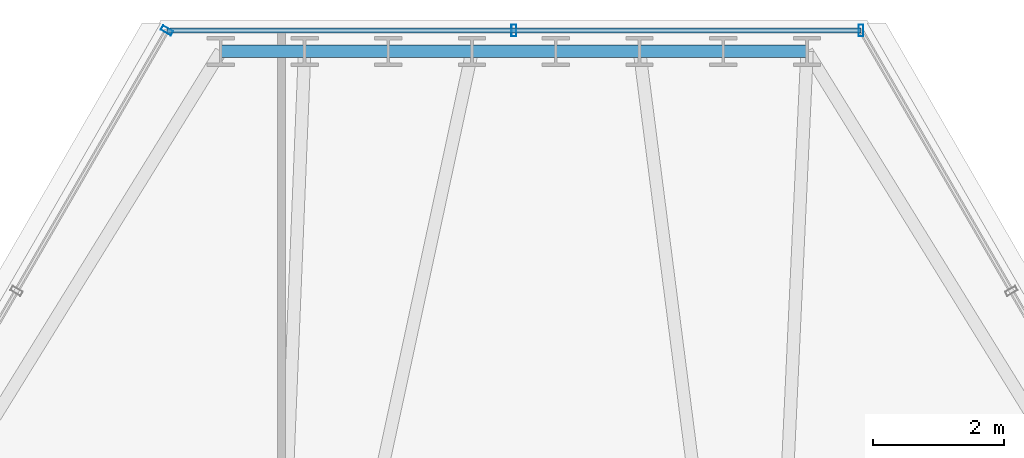
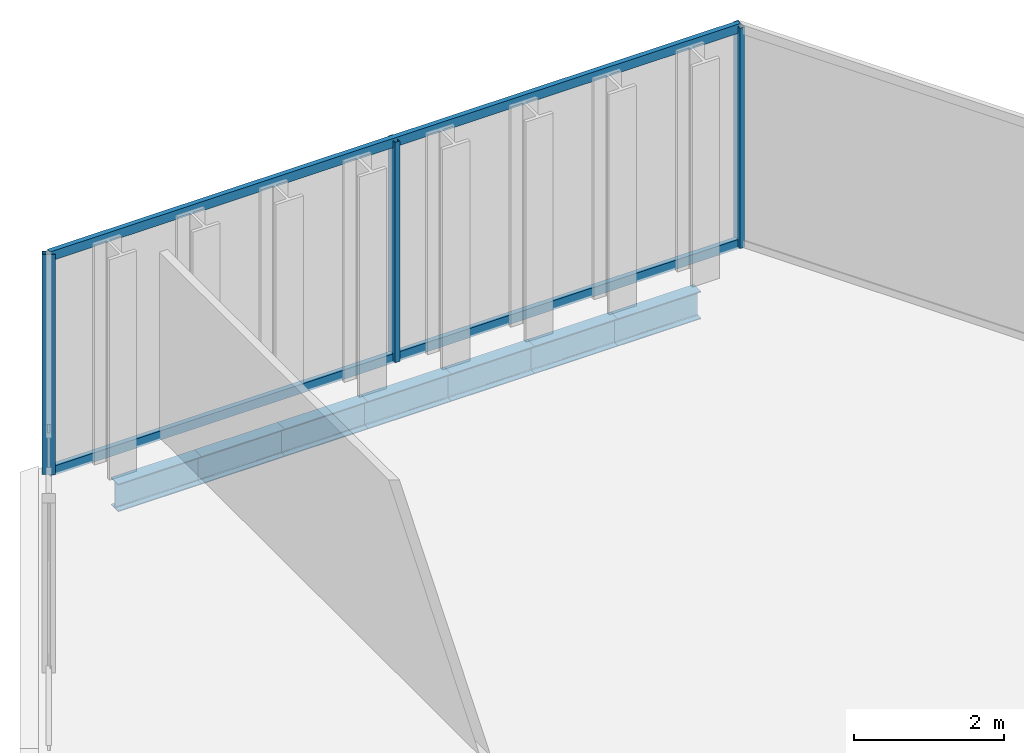
# One storey, part 24 of 33: 7 beams, 5 members, 2 elements without a shape of their own.
"""IFC4 building model written with IfcOpenShell, lengths in metres."""

from ifc_helpers import new_model, si_unit, direction, frame, origin, origin_2d, place, context, subcontext, project, spatial, hollow_rectangle, i_section, extrude, material, layer, layer_set, material_profile, profile_set, type_object, element, aggregate, save


model = new_model("IFC4")

# Units and contexts
model_context = context("Model", 3, precision=1e-05, world=origin(), true_north=direction((0.0, 1.0)))
body_context = subcontext(model_context, "Body", "Model", "MODEL_VIEW")
ifc_project = project(units=[si_unit("LENGTHUNIT", "METRE"), si_unit("AREAUNIT", "SQUARE_METRE"), si_unit("VOLUMEUNIT", "CUBIC_METRE"), si_unit("PLANEANGLEUNIT", "RADIAN"), si_unit("MASSUNIT", "GRAM", prefix="KILO")], contexts=[model_context])

# Site, building, storey
site_placement = place(None, origin())
site = spatial("IfcSite", under=ifc_project, at=site_placement, CompositionType="ELEMENT")
building_placement = place(site_placement, origin())
building = spatial("IfcBuilding", under=site, at=building_placement, Name="Ndaravel Arena Tower", CompositionType="ELEMENT")
storey_placement = place(building_placement, frame((0.0, 0.0, 161.199951171875)))
storey = spatial("IfcBuildingStorey", under=building, at=storey_placement, Name="L38", CompositionType="ELEMENT", Elevation=161.199951171875)

# Beams
ifc_material_1 = material(Name="Steel S355", Category="steel")
ifc_material_profile_1 = material_profile(ifc_material_1, i_section(OverallWidth=0.18994140625, OverallDepth=0.449951171875, WebThickness=0.009521484375, FlangeThickness=0.0146484375, FilletRadius=0.02099609375, at=origin_2d()), Name="IPE 450")
ifc_profile_set_1 = profile_set([ifc_material_profile_1], Name="Steel S355")
beam_type = type_object("IfcBeamType", Name="BM-SPAN-IPE450", PredefinedType="SPANDREL", material=ifc_profile_set_1)
for number, where, z_axis, x_axis, name in (
    (1, (46.480224609375, 45.881591796875, -0.445068359375), (-1.0, 0.0, 0.0), (0.0, -1.0, 0.0), "L38 Perimeter Spandrel Beam SP-11"),
    (2, (45.2001953125, 45.881591796875, -0.445068359375), (-1.0, 0.0, 0.0), (0.0, -1.0, 0.0), "L38 Perimeter Spandrel Beam SP-12"),
):
    element("IfcBeam", number, at=place(storey_placement, frame(where, z_axis=z_axis, x_axis=x_axis)), inside=storey, type_object=beam_type, Name=name, PredefinedType="SPANDREL", context=body_context, shape_type="SweptSolid", body=[
        extrude(i_section(OverallWidth=0.18994140625, OverallDepth=0.449951171875, WebThickness=0.009521484375, FlangeThickness=0.0146484375, FilletRadius=0.02099609375, at=origin_2d()), origin(), (0.0, 0.0, 1.0), 1.280029296875),
    ])
beam_1_placement = place(storey_placement, frame((43.920166015625, 45.881591796875, -0.445068359375), z_axis=(-1.0, 0.0, 0.0), x_axis=(0.0, -1.0, 0.0)))
element("IfcBeam", 3, at=beam_1_placement, inside=storey, type_object=beam_type, Name="L38 Perimeter Spandrel Beam SP-13", PredefinedType="SPANDREL", context=body_context, shape_type="SweptSolid", body=[
    extrude(i_section(OverallWidth=0.18994140625, OverallDepth=0.449951171875, WebThickness=0.009521484375, FlangeThickness=0.0146484375, FilletRadius=0.02099609375, at=origin_2d()), origin(), (0.0, 0.0, 1.0), 1.2802734375),
])
beam_2_placement = place(storey_placement, frame((42.639892578125, 45.881591796875, -0.445068359375), z_axis=(-1.0, 0.0, 0.0), x_axis=(0.0, -1.0, 0.0)))
element("IfcBeam", 4, at=beam_2_placement, inside=storey, type_object=beam_type, Name="L38 Perimeter Spandrel Beam SP-14", PredefinedType="SPANDREL", context=body_context, shape_type="SweptSolid", body=[
    extrude(i_section(OverallWidth=0.18994140625, OverallDepth=0.449951171875, WebThickness=0.009521484375, FlangeThickness=0.0146484375, FilletRadius=0.02099609375, at=origin_2d()), origin(), (0.0, 0.0, 1.0), 1.27978515625),
])
beam_3_placement = place(storey_placement, frame((41.360107421875, 45.881591796875, -0.445068359375), z_axis=(-1.0, 0.0, 0.0), x_axis=(0.0, -1.0, 0.0)))
element("IfcBeam", 5, at=beam_3_placement, inside=storey, type_object=beam_type, Name="L38 Perimeter Spandrel Beam SP-15", PredefinedType="SPANDREL", context=body_context, shape_type="SweptSolid", body=[
    extrude(i_section(OverallWidth=0.18994140625, OverallDepth=0.449951171875, WebThickness=0.009521484375, FlangeThickness=0.0146484375, FilletRadius=0.02099609375, at=origin_2d()), origin(), (0.0, 0.0, 1.0), 1.2802734375),
])
for number, where, z_axis, x_axis, name in (
    (6, (40.079833984375, 45.881591796875, -0.445068359375), (-1.0, 0.0, 0.0), (0.0, -1.0, 0.0), "L38 Perimeter Spandrel Beam SP-16"),
    (7, (38.7998046875, 45.881591796875, -0.445068359375), (-1.0, 0.0, 0.0), (0.0, -1.0, 0.0), "L38 Perimeter Spandrel Beam SP-17"),
):
    element("IfcBeam", number, at=place(storey_placement, frame(where, z_axis=z_axis, x_axis=x_axis)), inside=storey, type_object=beam_type, Name=name, PredefinedType="SPANDREL", context=body_context, shape_type="SweptSolid", body=[
        extrude(i_section(OverallWidth=0.18994140625, OverallDepth=0.449951171875, WebThickness=0.009521484375, FlangeThickness=0.0146484375, FilletRadius=0.02099609375, at=origin_2d()), origin(), (0.0, 0.0, 1.0), 1.280029296875),
    ])

# Curtain wall, members
ifc_material_2 = material(Name="Aluminium", Category="aluminium")
ifc_layer_1 = layer(ifc_material_2, 0.179931640625)
ifc_layer_set_1 = layer_set([ifc_layer_1], Name="Aluminium")
curtain_wall_type_1 = type_object("IfcCurtainWallType", Name="CW-SYS-01", PredefinedType="NOTDEFINED", material=ifc_layer_set_1)
curtain_wall_1_placement = place(storey_placement, origin())
curtain_wall_1 = element("IfcCurtainWall", 8, at=curtain_wall_1_placement, inside=storey, type_object=curtain_wall_type_1, Name="L38 Faceted Crystal Curtain Wall CW-L38-E04", PredefinedType="NOTDEFINED")
ifc_material_3 = material(Name="Aluminium", Category="aluminium")
ifc_material_profile_2 = material_profile(ifc_material_3, hollow_rectangle(XDim=0.074951171875, YDim=0.179931640625, WallThickness=0.00390625, at=origin_2d()), Name="CW MULLION 75x180x4")
ifc_profile_set_2 = profile_set([ifc_material_profile_2], Name="Aluminium")
member_type_1 = type_object("IfcMemberType", Name="MEM-CW-MUL180", PredefinedType="MULLION", material=ifc_profile_set_2)
member_1_placement = place(storey_placement, frame((47.304931640625, 46.20166015625, 0.0), z_axis=(0.0, 0.0, 1.0), x_axis=(-1.0, 0.0, 0.0)))
member_1 = element("IfcMember", 9, at=member_1_placement, type_object=member_type_1, Name="CW-L38-E04 Mullion 00", PredefinedType="MULLION", context=body_context, shape_type="SweptSolid", body=[
    extrude(hollow_rectangle(XDim=0.074951171875, YDim=0.179931640625, WallThickness=0.00390625, at=origin_2d()), origin(), (0.0, 0.0, 1.0), 3.580078125),
])
member_2_placement = place(storey_placement, frame((42.0, 46.20166015625, 0.0), z_axis=(0.0, 0.0, 1.0), x_axis=(-1.0, 0.0, 0.0)))
member_2 = element("IfcMember", 10, at=member_2_placement, type_object=member_type_1, Name="CW-L38-E04 Mullion 01", PredefinedType="MULLION", context=body_context, shape_type="SweptSolid", body=[
    extrude(hollow_rectangle(XDim=0.074951171875, YDim=0.179931640625, WallThickness=0.00390625, at=origin_2d()), origin(), (0.0, 0.0, 1.0), 3.580078125),
])

# Curtain wall, member
ifc_material_4 = material(Name="Aluminium", Category="aluminium")
ifc_layer_2 = layer(ifc_material_4, 0.179931640625)
ifc_layer_set_2 = layer_set([ifc_layer_2], Name="Aluminium")
curtain_wall_type_2 = type_object("IfcCurtainWallType", Name="CW-SYS-03", PredefinedType="NOTDEFINED", material=ifc_layer_set_2)
curtain_wall_2_placement = place(storey_placement, origin())
curtain_wall_2 = element("IfcCurtainWall", 11, at=curtain_wall_2_placement, inside=storey, type_object=curtain_wall_type_2, Name="L38 Faceted Crystal Curtain Wall CW-L38-E05", PredefinedType="NOTDEFINED")
member_3_placement = place(storey_placement, frame((36.695068359375, 46.20166015625, 0.0), z_axis=(0.0, 0.0, 1.0), x_axis=(-0.5, -0.866025403784, 0.0)))
member_3 = element("IfcMember", 12, at=member_3_placement, type_object=member_type_1, Name="CW-L38-E05 Mullion 00", PredefinedType="MULLION", context=body_context, shape_type="SweptSolid", body=[
    extrude(hollow_rectangle(XDim=0.074951171875, YDim=0.179931640625, WallThickness=0.00390625, at=origin_2d()), origin(), (0.0, 0.0, 1.0), 3.580078125),
])
aggregate(curtain_wall_2, [member_3])

# Member
ifc_material_5 = material(Name="Aluminium", Category="aluminium")
ifc_material_profile_3 = material_profile(ifc_material_5, hollow_rectangle(XDim=0.074951171875, YDim=0.14990234375, WallThickness=0.00390625, at=origin_2d()), Name="CW TRANSOM 75x150x4")
ifc_profile_set_3 = profile_set([ifc_material_profile_3], Name="Aluminium")
member_type_2 = type_object("IfcMemberType", Name="MEM-CW-TRN150", PredefinedType="USERDEFINED", material=ifc_profile_set_3)
member_4_placement = place(storey_placement, frame((47.304931640625, 46.20166015625, 0.0400390625), z_axis=(-1.0, 0.0, 0.0), x_axis=(0.0, -1.0, 0.0)))
member_4 = element("IfcMember", 13, at=member_4_placement, type_object=member_type_2, Name="CW-L38-E04 Transom 01", ObjectType="TRANSOM", PredefinedType="USERDEFINED", context=body_context, shape_type="SweptSolid", body=[
    extrude(hollow_rectangle(XDim=0.074951171875, YDim=0.14990234375, WallThickness=0.00390625, at=origin_2d()), origin(), (0.0, 0.0, 1.0), 10.60986328125),
])

member_5_placement = place(storey_placement, frame((47.304931640625, 46.20166015625, 3.5400390625), z_axis=(-1.0, 0.0, 0.0), x_axis=(0.0, -1.0, 0.0)))
member_5 = element("IfcMember", 14, at=member_5_placement, type_object=member_type_2, Name="CW-L38-E04 Transom 02", ObjectType="TRANSOM", PredefinedType="USERDEFINED", context=body_context, shape_type="SweptSolid", body=[
    extrude(hollow_rectangle(XDim=0.074951171875, YDim=0.14990234375, WallThickness=0.00390625, at=origin_2d()), origin(), (0.0, 0.0, 1.0), 10.60986328125),
])

aggregate(curtain_wall_1, [member_1, member_2, member_4, member_5])

save(model, "model.ifc")
